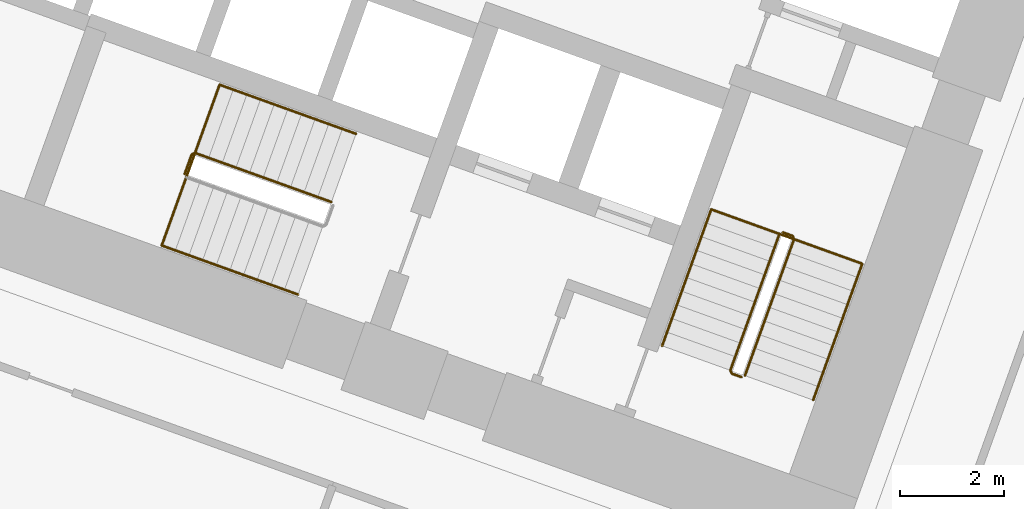
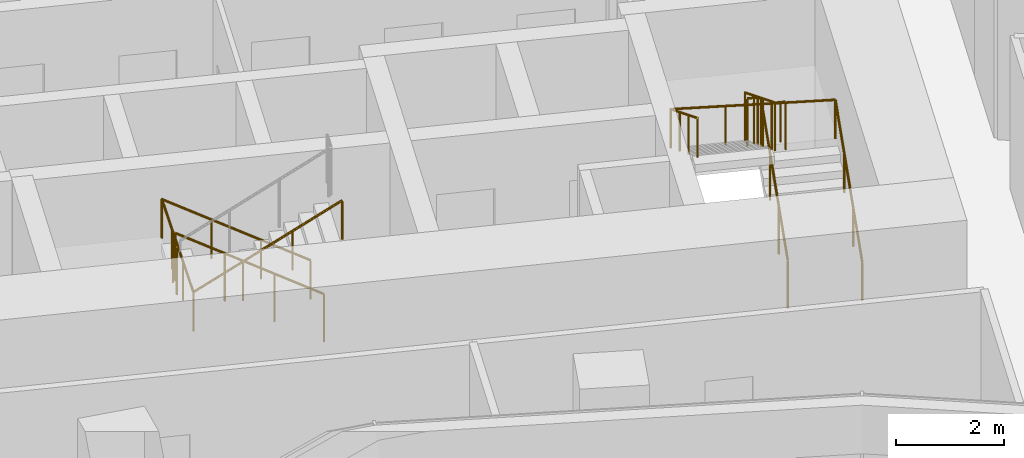
# One storey, part 20 of 20: 5 railings.
"""IFC4 building model written with IfcOpenShell, lengths in metres."""

from ifc_helpers import new_model, si_unit, direction, frame, origin, origin_2d, place, context, subcontext, project, spatial, circle, extrude, material, type_object, element, save


model = new_model("IFC4")

# Units and contexts
model_context = context("Model", 3, precision=1e-05, world=origin(), true_north=direction((0.0, 1.0)))
body_context = subcontext(model_context, "Body", "Model", "MODEL_VIEW")
ifc_project = project(units=[si_unit("LENGTHUNIT", "METRE"), si_unit("AREAUNIT", "SQUARE_METRE"), si_unit("VOLUMEUNIT", "CUBIC_METRE"), si_unit("PLANEANGLEUNIT", "RADIAN"), si_unit("MASSUNIT", "GRAM", prefix="KILO")], contexts=[model_context])

# Site, building, storey
site_placement = place(None, origin())
site = spatial("IfcSite", under=ifc_project, at=site_placement, CompositionType="ELEMENT")
building_placement = place(site_placement, origin())
building = spatial("IfcBuilding", under=site, at=building_placement, Name="Stone Belt Terrace Tower", CompositionType="ELEMENT")
storey_placement = place(building_placement, frame((0.0, 0.0, 102.199951171875)))
storey = spatial("IfcBuildingStorey", under=building, at=storey_placement, Name="L24", CompositionType="ELEMENT", Elevation=102.199951171875)

# Railings
ifc_material = material(Name="Structural steel C345", Category="steel")
railing_type_1 = type_object("IfcRailingType", Name="Stair guard 1100", PredefinedType="GUARDRAIL", material=ifc_material)
railing_1_placement = place(storey_placement, frame((24.494140625, 45.174560546875, 0.1728515625)))
element("IfcRailing", 1, at=railing_1_placement, inside=storey, type_object=railing_type_1, Name="L24 ST1B stair guard 1", PredefinedType="GUARDRAIL", context=body_context, shape_type="SweptSolid", body=[
    extrude(circle(Radius=0.02392578125, at=origin_2d()), frame((0.0, 0.0, 1.076171875), z_axis=(0.288228637646, 0.800791768495, 0.525030280985), x_axis=(-0.940908529223, 0.338660803216, 0.0)), (0.0, 0.0, 1.0), 3.289794921875),
    extrude(circle(Radius=0.02392578125, at=origin_2d()), frame((0.9482421875, 2.634521484375, 2.80322265625), z_axis=(-0.424964916, 0.905209821074, 0.0), x_axis=(-0.905209821074, -0.424964916, 0.0)), (0.0, 0.0, 1.0), 0.070556640625),
    extrude(circle(Radius=0.02392578125, at=origin_2d()), frame((0.918212890625, 2.698486328125, 2.80322265625), z_axis=(-0.941105063269, 0.338114270461, 0.0), x_axis=(-0.338114270461, -0.941105063269, 0.0)), (0.0, 0.0, 1.0), 0.199951171875),
    extrude(circle(Radius=0.02099609375, at=origin_2d()), origin(), (0.0, 0.0, 1.0), 1.052001953125),
    extrude(circle(Radius=0.02099609375, at=origin_2d()), frame((0.316162109375, 0.878173828125, 0.57568359375)), (0.0, 0.0, 1.0), 1.052001953125),
    extrude(circle(Radius=0.02099609375, at=origin_2d()), frame((0.632080078125, 1.75634765625, 1.151611328125)), (0.0, 0.0, 1.0), 1.052001953125),
    extrude(circle(Radius=0.02099609375, at=origin_2d()), frame((0.9482421875, 2.634521484375, 1.727294921875)), (0.0, 0.0, 1.0), 1.052001953125),
    extrude(circle(Radius=0.02099609375, at=origin_2d()), frame((0.918212890625, 2.698486328125, 1.727294921875)), (0.0, 0.0, 1.0), 1.052001953125),
    extrude(circle(Radius=0.02099609375, at=origin_2d()), frame((0.72998046875, 2.76611328125, 1.727294921875)), (0.0, 0.0, 1.0), 1.052001953125),
])
railing_2_placement = place(storey_placement, frame((25.16015625, 47.91064453125, 2.07275390625)))
element("IfcRailing", 2, at=railing_2_placement, inside=storey, type_object=railing_type_1, Name="L24 ST1B stair guard 2", PredefinedType="GUARDRAIL", context=body_context, shape_type="SweptSolid", body=[
    extrude(circle(Radius=0.02392578125, at=origin_2d()), frame((0.0, 0.0, 1.076171875), z_axis=(-0.288228637646, -0.800791768495, 0.525030280985), x_axis=(0.940908529223, -0.338660803216, 0.0)), (0.0, 0.0, 1.0), 3.289794921875),
    extrude(circle(Radius=0.02392578125, at=origin_2d()), frame((-0.9482421875, -2.634521484375, 2.80322265625), z_axis=(0.427789722475, -0.903878284585, 0.0), x_axis=(0.903878284585, 0.427789722475, 0.0)), (0.0, 0.0, 1.0), 0.07080078125),
    extrude(circle(Radius=0.02392578125, at=origin_2d()), frame((-0.91796875, -2.698486328125, 2.80322265625), z_axis=(0.940575576748, -0.339584429008, 0.0), x_axis=(0.339584429008, 0.940575576748, 0.0)), (0.0, 0.0, 1.0), 0.199951171875),
    extrude(circle(Radius=0.02099609375, at=origin_2d()), origin(), (0.0, 0.0, 1.0), 1.052001953125),
    extrude(circle(Radius=0.02099609375, at=origin_2d()), frame((-0.316162109375, -0.878173828125, 0.57568359375)), (0.0, 0.0, 1.0), 1.052001953125),
    extrude(circle(Radius=0.02099609375, at=origin_2d()), frame((-0.632080078125, -1.75634765625, 1.151611328125)), (0.0, 0.0, 1.0), 1.052001953125),
    extrude(circle(Radius=0.02099609375, at=origin_2d()), frame((-0.9482421875, -2.634521484375, 1.727294921875)), (0.0, 0.0, 1.0), 1.052001953125),
    extrude(circle(Radius=0.02099609375, at=origin_2d()), frame((-0.91796875, -2.698486328125, 1.727294921875)), (0.0, 0.0, 1.0), 1.052001953125),
    extrude(circle(Radius=0.02099609375, at=origin_2d()), frame((-0.72998046875, -2.766357421875, 1.727294921875)), (0.0, 0.0, 1.0), 1.052001953125),
])
railing_3_placement = place(storey_placement, frame((16.507568359375, 48.527099609375, 0.1728515625)))
element("IfcRailing", 3, at=railing_3_placement, inside=storey, type_object=railing_type_1, Name="L24 ST2B stair guard 1", PredefinedType="GUARDRAIL", context=body_context, shape_type="SweptSolid", body=[
    extrude(circle(Radius=0.02392578125, at=origin_2d()), frame((0.0, 0.0, 1.076171875), z_axis=(-0.800808895155, 0.288160591223, 0.52504150989), x_axis=(-0.338583606334, -0.940936311087, 0.0)), (0.0, 0.0, 1.0), 3.289794921875),
    extrude(circle(Radius=0.02392578125, at=origin_2d()), frame((-2.634521484375, 0.947998046875, 2.80322265625), z_axis=(-0.905209821074, -0.424964916, 0.0), x_axis=(0.424964916, -0.905209821074, 0.0)), (0.0, 0.0, 1.0), 0.070556640625),
    extrude(circle(Radius=0.02392578125, at=origin_2d()), frame((-2.698486328125, 0.91796875, 2.80322265625), z_axis=(-0.338654645739, -0.940910745459, 0.0), x_axis=(0.940910745459, -0.338654645739, 0.0)), (0.0, 0.0, 1.0), 0.400146484375),
    extrude(circle(Radius=0.02099609375, at=origin_2d()), origin(), (0.0, 0.0, 1.0), 1.052001953125),
    extrude(circle(Radius=0.02099609375, at=origin_2d()), frame((-0.878173828125, 0.31591796875, 0.57568359375)), (0.0, 0.0, 1.0), 1.052001953125),
    extrude(circle(Radius=0.02099609375, at=origin_2d()), frame((-1.75634765625, 0.632080078125, 1.151611328125)), (0.0, 0.0, 1.0), 1.052001953125),
    extrude(circle(Radius=0.02099609375, at=origin_2d()), frame((-2.634521484375, 0.947998046875, 1.727294921875)), (0.0, 0.0, 1.0), 1.052001953125),
    extrude(circle(Radius=0.02099609375, at=origin_2d()), frame((-2.698486328125, 0.91796875, 1.727294921875)), (0.0, 0.0, 1.0), 1.052001953125),
    extrude(circle(Radius=0.02099609375, at=origin_2d()), frame((-2.833984375, 0.54150390625, 1.727294921875)), (0.0, 0.0, 1.0), 1.052001953125),
])
railing_type_2 = type_object("IfcRailingType", Name="Stair handrail 900", PredefinedType="HANDRAIL", material=ifc_material)
railing_4_placement = place(storey_placement, frame((25.8115234375, 44.700439453125, 0.1728515625)))
element("IfcRailing", 4, at=railing_4_placement, inside=storey, type_object=railing_type_2, Name="L24 ST1B stair handrail 1", PredefinedType="HANDRAIL", context=body_context, shape_type="SweptSolid", body=[
    extrude(circle(Radius=0.02392578125, at=origin_2d()), frame((0.0, 0.0, 0.8759765625), z_axis=(0.288228637646, 0.800791768495, 0.525030280985), x_axis=(-0.940908529223, 0.338660803216, 0.0)), (0.0, 0.0, 1.0), 3.289794921875),
    extrude(circle(Radius=0.02392578125, at=origin_2d()), frame((0.9482421875, 2.634521484375, 2.60302734375), z_axis=(-0.939464517435, 0.338106580597, 0.055591012205), x_axis=(-0.338630230244, -0.940919532779, 0.0)), (0.0, 0.0, 1.0), 3.10498046875),
    extrude(circle(Radius=0.02392578125, at=origin_2d()), frame((-1.96875, 3.684326171875, 2.77587890625), z_axis=(-0.288160591223, -0.800808895155, 0.52504150989), x_axis=(0.940936311087, -0.338583606334, 0.0)), (0.0, 0.0, 1.0), 3.289794921875),
    extrude(circle(Radius=0.02099609375, at=origin_2d()), origin(), (0.0, 0.0, 1.0), 0.851806640625),
    extrude(circle(Radius=0.02099609375, at=origin_2d()), frame((0.316162109375, 0.878173828125, 0.57568359375)), (0.0, 0.0, 1.0), 0.851806640625),
    extrude(circle(Radius=0.02099609375, at=origin_2d()), frame((0.632080078125, 1.75634765625, 1.151611328125)), (0.0, 0.0, 1.0), 0.851806640625),
    extrude(circle(Radius=0.02099609375, at=origin_2d()), frame((0.9482421875, 2.634521484375, 1.727294921875)), (0.0, 0.0, 1.0), 0.851806640625),
    extrude(circle(Radius=0.02099609375, at=origin_2d()), frame((-0.024169921875, 2.984375, 1.784912109375)), (0.0, 0.0, 1.0), 0.851806640625),
    extrude(circle(Radius=0.02099609375, at=origin_2d()), frame((-0.996337890625, 3.33447265625, 1.84228515625)), (0.0, 0.0, 1.0), 0.851806640625),
    extrude(circle(Radius=0.02099609375, at=origin_2d()), frame((-1.96875, 3.684326171875, 1.89990234375)), (0.0, 0.0, 1.0), 0.851806640625),
    extrude(circle(Radius=0.02099609375, at=origin_2d()), frame((-2.28466796875, 2.80615234375, 2.4755859375)), (0.0, 0.0, 1.0), 0.851806640625),
    extrude(circle(Radius=0.02099609375, at=origin_2d()), frame((-2.600830078125, 1.927978515625, 3.051513671875)), (0.0, 0.0, 1.0), 0.851806640625),
    extrude(circle(Radius=0.02099609375, at=origin_2d()), frame((-2.916748046875, 1.0498046875, 3.627197265625)), (0.0, 0.0, 1.0), 0.851806640625),
])
railing_5_placement = place(storey_placement, frame((16.981689453125, 49.84423828125, 0.1728515625)))
element("IfcRailing", 5, at=railing_5_placement, inside=storey, type_object=railing_type_2, Name="L24 ST2B stair handrail 1", PredefinedType="HANDRAIL", context=body_context, shape_type="SweptSolid", body=[
    extrude(circle(Radius=0.02392578125, at=origin_2d()), frame((0.0, 0.0, 0.8759765625), z_axis=(-0.800791768495, 0.288228637646, 0.525030280985), x_axis=(-0.338660803216, -0.940908529223, 0.0)), (0.0, 0.0, 1.0), 3.289794921875),
    extrude(circle(Radius=0.02392578125, at=origin_2d()), frame((-2.634521484375, 0.9482421875, 2.60302734375), z_axis=(-0.338160254016, -0.939637778147, 0.052234935458), x_axis=(0.940922302781, -0.338622533404, 0.0)), (0.0, 0.0, 1.0), 3.304443359375),
    extrude(circle(Radius=0.02392578125, at=origin_2d()), frame((-3.751953125, -2.15673828125, 2.77587890625), z_axis=(0.800791768495, -0.288228637646, 0.525030280985), x_axis=(0.338660803216, 0.940908529223, 0.0)), (0.0, 0.0, 1.0), 3.289794921875),
    extrude(circle(Radius=0.02099609375, at=origin_2d()), origin(), (0.0, 0.0, 1.0), 0.851806640625),
    extrude(circle(Radius=0.02099609375, at=origin_2d()), frame((-0.878173828125, 0.316162109375, 0.57568359375)), (0.0, 0.0, 1.0), 0.851806640625),
    extrude(circle(Radius=0.02099609375, at=origin_2d()), frame((-1.75634765625, 0.632080078125, 1.151611328125)), (0.0, 0.0, 1.0), 0.851806640625),
    extrude(circle(Radius=0.02099609375, at=origin_2d()), frame((-2.634521484375, 0.9482421875, 1.727294921875)), (0.0, 0.0, 1.0), 0.851806640625),
    extrude(circle(Radius=0.02099609375, at=origin_2d()), frame((-3.007080078125, -0.086669921875, 1.784912109375)), (0.0, 0.0, 1.0), 0.851806640625),
    extrude(circle(Radius=0.02099609375, at=origin_2d()), frame((-3.37939453125, -1.121826171875, 1.84228515625)), (0.0, 0.0, 1.0), 0.851806640625),
    extrude(circle(Radius=0.02099609375, at=origin_2d()), frame((-3.751953125, -2.15673828125, 1.89990234375)), (0.0, 0.0, 1.0), 0.851806640625),
    extrude(circle(Radius=0.02099609375, at=origin_2d()), frame((-2.873779296875, -2.472900390625, 2.4755859375)), (0.0, 0.0, 1.0), 0.851806640625),
    extrude(circle(Radius=0.02099609375, at=origin_2d()), frame((-1.99560546875, -2.788818359375, 3.051513671875)), (0.0, 0.0, 1.0), 0.851806640625),
    extrude(circle(Radius=0.02099609375, at=origin_2d()), frame((-1.117431640625, -3.10498046875, 3.627197265625)), (0.0, 0.0, 1.0), 0.851806640625),
])

save(model, "model.ifc")
